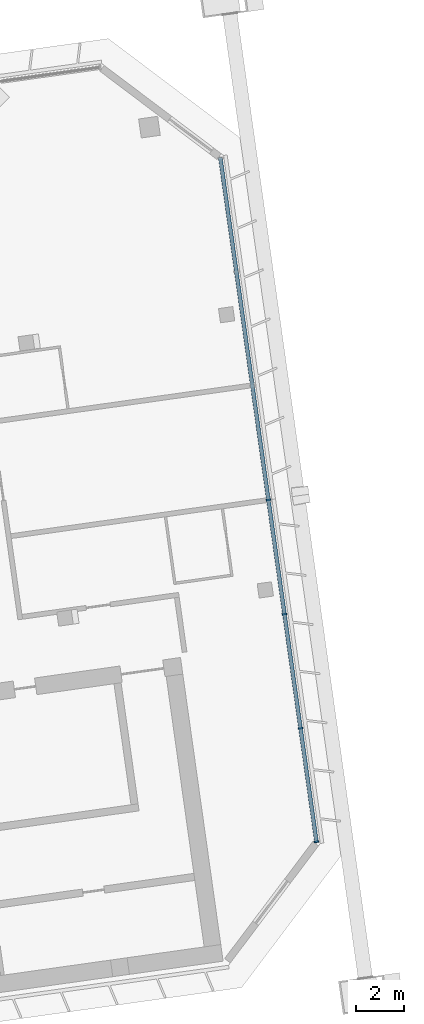
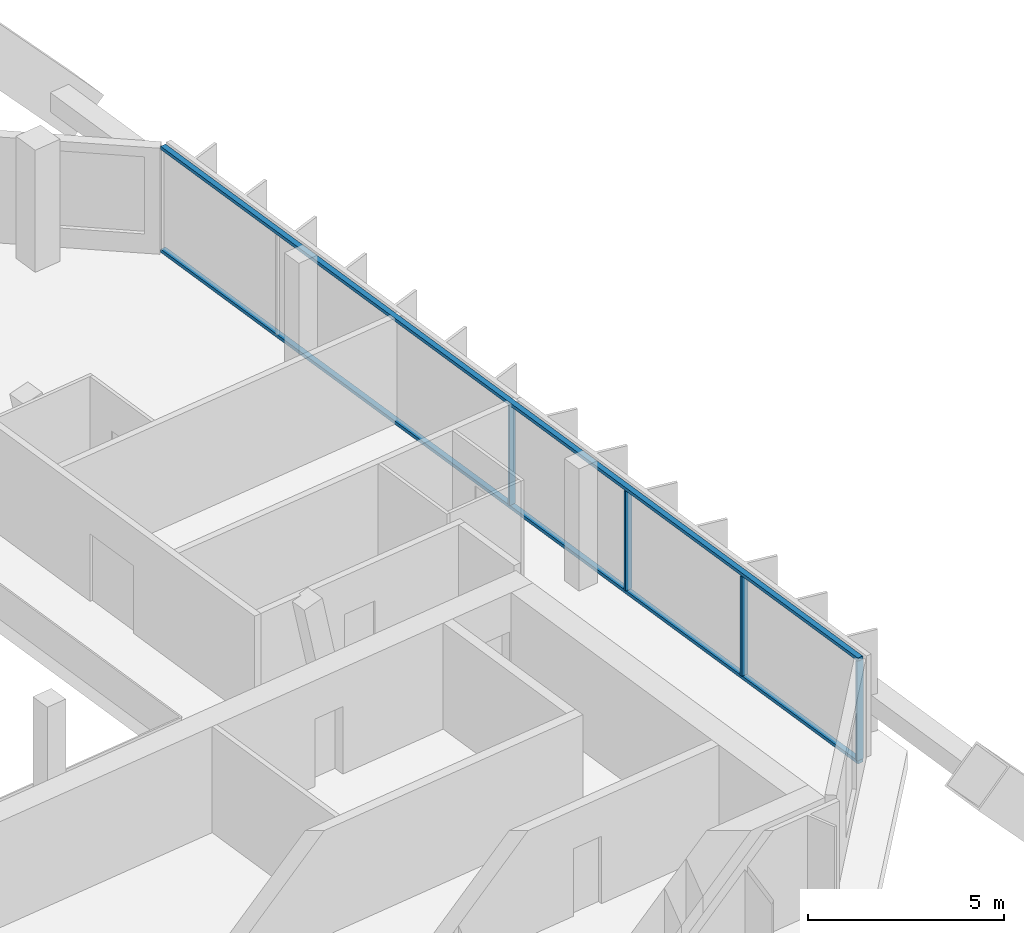
# One storey, part 10 of 29: 6 members, 1 element without a shape of its own.
"""IFC4 building model written with IfcOpenShell, lengths in metres."""

from ifc_helpers import new_model, si_unit, direction, frame, origin, origin_2d, place, context, subcontext, project, spatial, rectangle, extrude, material, material_profile, profile_set, type_object, element, aggregate, save


model = new_model("IFC4")

# Units and contexts
model_context = context("Model", 3, precision=1e-05, world=origin(), true_north=direction((0.0, 1.0)))
body_context = subcontext(model_context, "Body", "Model", "MODEL_VIEW")
ifc_project = project(units=[si_unit("LENGTHUNIT", "METRE"), si_unit("AREAUNIT", "SQUARE_METRE"), si_unit("VOLUMEUNIT", "CUBIC_METRE"), si_unit("PLANEANGLEUNIT", "RADIAN"), si_unit("MASSUNIT", "GRAM", prefix="KILO")], contexts=[model_context])

# Site, building, storey
site_placement = place(None, origin())
site = spatial("IfcSite", under=ifc_project, at=site_placement, CompositionType="ELEMENT")
building_placement = place(site_placement, origin())
building = spatial("IfcBuilding", under=site, at=building_placement, Name="Mirante Cascada Hotel Towers", CompositionType="ELEMENT")
storey_placement = place(building_placement, frame((0.0, 0.0, 206.8)))
storey = spatial("IfcBuildingStorey", under=building, at=storey_placement, Name="L49", CompositionType="ELEMENT", Elevation=206.8)

# Curtain wall, members
ifc_material_1 = material(Name="Aluminium mullion and transom frame with clear laminated glass", Category="aluminium")
curtain_wall_type = type_object("IfcCurtainWallType", Name="End ribbon curtain wall ECW2", PredefinedType="NOTDEFINED", material=ifc_material_1)
curtain_wall_placement = place(storey_placement, origin())
curtain_wall = element("IfcCurtainWall", 1, at=curtain_wall_placement, inside=storey, type_object=curtain_wall_type, Name="Outer end wall T2 L49", PredefinedType="NOTDEFINED")
ifc_material_2 = material(Name="Anodised aluminium extrusion", Category="aluminium")
ifc_material_profile_1 = material_profile(ifc_material_2, rectangle(XDim=0.2, YDim=0.065, at=origin_2d()), Name="ECW2 MULLION 65x200")
ifc_profile_set_1 = profile_set([ifc_material_profile_1], Name="Anodised aluminium extrusion")
member_type_1 = type_object("IfcMemberType", Name="ECW2 mullion 65x200", PredefinedType="MULLION", material=ifc_profile_set_1)
member_1_placement = place(storey_placement, frame((85.3308, -8.7707, 0.1), z_axis=(0.0, 0.0, 1.0), x_axis=(-0.9902681, -0.1391731, 0.0)))
member_1 = element("IfcMember", 2, at=member_1_placement, type_object=member_type_1, Name="ECW2 mullion 1", PredefinedType="MULLION", context=body_context, shape_type="SweptSolid", body=[
    extrude(rectangle(XDim=0.2, YDim=0.065, at=origin_2d()), origin(), (0.0, 0.0, 1.0), 3.1),
])
member_2_placement = place(storey_placement, frame((84.6655, -4.0371, 0.1), z_axis=(0.0, 0.0, 1.0), x_axis=(-0.9902681, -0.1391731, 0.0)))
member_2 = element("IfcMember", 3, at=member_2_placement, type_object=member_type_1, Name="ECW2 mullion 2", PredefinedType="MULLION", context=body_context, shape_type="SweptSolid", body=[
    extrude(rectangle(XDim=0.2, YDim=0.065, at=origin_2d()), origin(), (0.0, 0.0, 1.0), 3.1),
])
member_3_placement = place(storey_placement, frame((83.9957, 0.7287, 0.1), z_axis=(0.0, 0.0, 1.0), x_axis=(-0.9902681, -0.1391731, 0.0)))
member_3 = element("IfcMember", 4, at=member_3_placement, type_object=member_type_1, Name="ECW2 mullion 3", PredefinedType="MULLION", context=body_context, shape_type="SweptSolid", body=[
    extrude(rectangle(XDim=0.2, YDim=0.065, at=origin_2d()), origin(), (0.0, 0.0, 1.0), 3.1),
])
member_4_placement = place(storey_placement, frame((83.3259, 5.4945, 0.1), z_axis=(0.0, 0.0, 1.0), x_axis=(-0.9902681, -0.1391731, 0.0)))
member_4 = element("IfcMember", 5, at=member_4_placement, type_object=member_type_1, Name="ECW2 mullion 4", PredefinedType="MULLION", context=body_context, shape_type="SweptSolid", body=[
    extrude(rectangle(XDim=0.2, YDim=0.065, at=origin_2d()), origin(), (0.0, 0.0, 1.0), 3.1),
])
ifc_material_3 = material(Name="Anodised aluminium extrusion", Category="aluminium")
ifc_material_profile_2 = material_profile(ifc_material_3, rectangle(XDim=0.16, YDim=0.1, at=origin_2d()), Name="ECW2 TRANSOM 100x160")
ifc_profile_set_2 = profile_set([ifc_material_profile_2], Name="Anodised aluminium extrusion")
member_type_2 = type_object("IfcMemberType", Name="ECW2 transom 100x160", PredefinedType="USERDEFINED", material=ifc_profile_set_2)
member_5_placement = place(storey_placement, frame((85.3353, -8.8029, 0.05), z_axis=(-0.1391723, 0.9902682, 0.0), x_axis=(-0.9902682, -0.1391723, 0.0)))
member_5 = element("IfcMember", 6, at=member_5_placement, type_object=member_type_2, Name="ECW2 sill transom", ObjectType="TRANSOM", PredefinedType="USERDEFINED", context=body_context, shape_type="SweptSolid", body=[
    extrude(rectangle(XDim=0.16, YDim=0.1, at=origin_2d()), origin(), (0.0, 0.0, 1.0), 28.8757),
])
member_6_placement = place(storey_placement, frame((85.3353, -8.8029, 3.25), z_axis=(-0.1391723, 0.9902682, 0.0), x_axis=(-0.9902682, -0.1391723, 0.0)))
member_6 = element("IfcMember", 7, at=member_6_placement, type_object=member_type_2, Name="ECW2 head transom", ObjectType="TRANSOM", PredefinedType="USERDEFINED", context=body_context, shape_type="SweptSolid", body=[
    extrude(rectangle(XDim=0.16, YDim=0.1, at=origin_2d()), origin(), (0.0, 0.0, 1.0), 28.8757),
])
aggregate(curtain_wall, [member_5, member_6, member_1, member_2, member_3, member_4])

save(model, "model.ifc")
